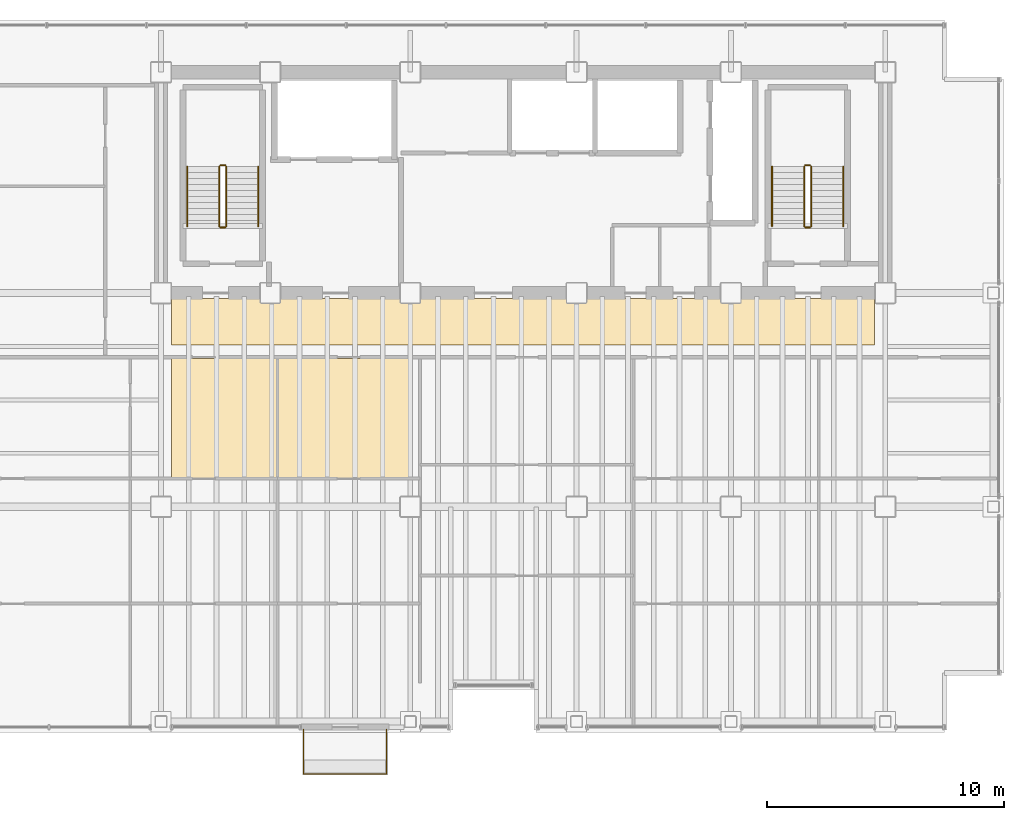
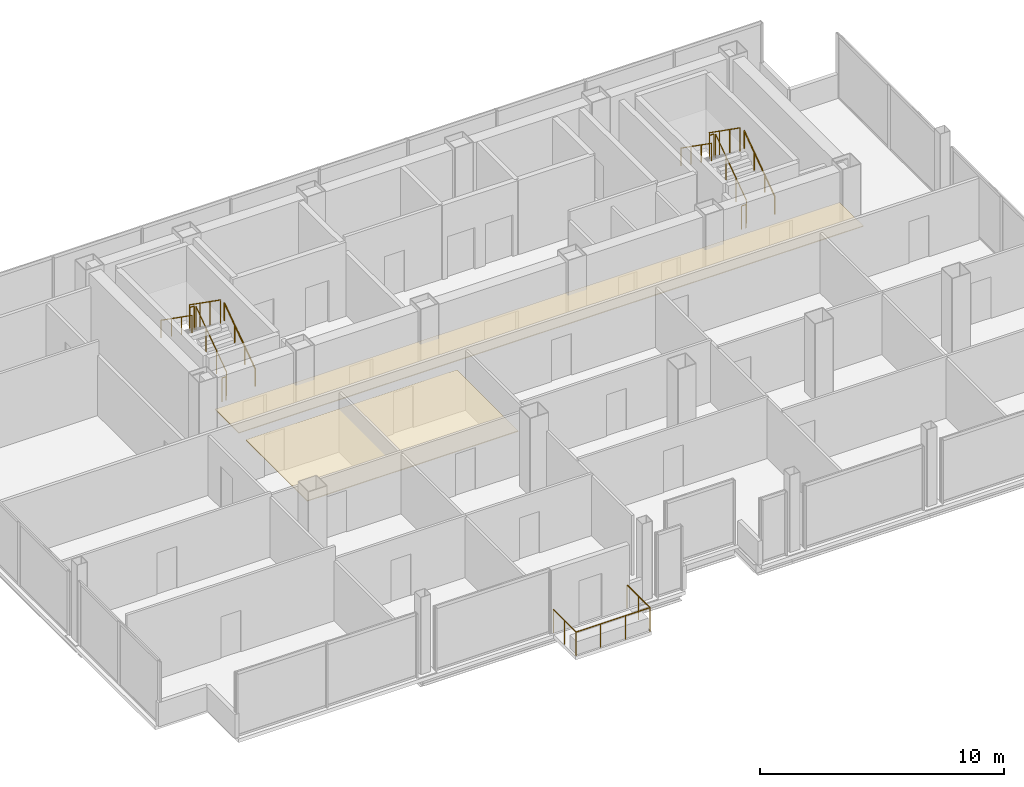
# One storey, part 22 of 22: 13 railings, 2 coverings.
"""IFC4 building model written with IfcOpenShell, lengths in metres."""

from ifc_helpers import new_model, si_unit, direction, frame, origin, origin_2d, place, context, subcontext, project, spatial, polyline, circle, outline, extrude, material, layer, layer_set, type_object, element, save


model = new_model("IFC4")

# Units and contexts
model_context = context("Model", 3, precision=1e-05, world=origin(), true_north=direction((0.0, 1.0)))
body_context = subcontext(model_context, "Body", "Model", "MODEL_VIEW")
ifc_project = project(units=[si_unit("LENGTHUNIT", "METRE"), si_unit("AREAUNIT", "SQUARE_METRE"), si_unit("VOLUMEUNIT", "CUBIC_METRE"), si_unit("PLANEANGLEUNIT", "RADIAN"), si_unit("MASSUNIT", "GRAM", prefix="KILO")], contexts=[model_context])

# Site, building, storey
site_placement = place(None, origin())
site = spatial("IfcSite", under=ifc_project, at=site_placement, CompositionType="ELEMENT")
building_placement = place(site_placement, origin())
building = spatial("IfcBuilding", under=site, at=building_placement, Name="Noeulbin Bourse Tower", CompositionType="ELEMENT")
storey_placement = place(building_placement, frame((0.0, 0.0, 130.5)))
storey = spatial("IfcBuildingStorey", under=building, at=storey_placement, Name="L32", CompositionType="ELEMENT", Elevation=130.5)

# Coverings
ifc_material_1 = material(Name="Perforated Mineral-Fibre Acoustic Tile")
ifc_layer_1 = layer(ifc_material_1, 0.0400390625)
ifc_layer_set_1 = layer_set([ifc_layer_1], Name="Perforated Mineral-Fibre Acoustic Tile")
covering_type = type_object("IfcCoveringType", Name="COV-CEIL-ACT", PredefinedType="CEILING", material=ifc_layer_set_1)
covering_1_placement = place(storey_placement, frame((0.0, 0.0, 2.110107421875)))
element("IfcCovering", 1, at=covering_1_placement, inside=storey, type_object=covering_type, Name="Corridor Suspended Ceiling L32", PredefinedType="CEILING", context=body_context, shape_type="SweptSolid", body=[
    extrude(outline(polyline([(13.949951171875, 26.820068359375), (43.550048828125, 26.820068359375), (43.550048828125, 28.780029296875), (13.949951171875, 28.780029296875), (13.949951171875, 26.820068359375)])), origin(), (0.0, 0.0, 1.0), 0.039794921875),
])
covering_2_placement = place(storey_placement, frame((0.0, 0.0, 2.110107421875)))
element("IfcCovering", 2, at=covering_2_placement, inside=storey, type_object=covering_type, Name="Trading Suite Acoustic Ceiling L32", PredefinedType="CEILING", context=body_context, shape_type="SweptSolid", body=[
    extrude(outline(polyline([(13.949951171875, 21.199951171875), (23.949951171875, 21.199951171875), (23.949951171875, 26.25), (13.949951171875, 26.25), (13.949951171875, 21.199951171875)])), origin(), (0.0, 0.0, 1.0), 0.039794921875),
])

# Railings
ifc_material_2 = material(Name="Laminated SentryGlas and Stainless Steel 316", Category="steel")
ifc_layer_2 = layer(ifc_material_2, 0.06005859375)
ifc_layer_set_2 = layer_set([ifc_layer_2], Name="Laminated SentryGlas and Stainless Steel 316")
railing_type_1 = type_object("IfcRailingType", Name="RLG-BAL-1200", PredefinedType="BALUSTRADE", material=ifc_layer_set_2)
railing_1_placement = place(storey_placement, frame((19.5, 10.6201171875, 0.0)))
element("IfcRailing", 3, at=railing_1_placement, inside=storey, type_object=railing_type_1, Name="Tree-Balcony Glazed Balustrade L32", PredefinedType="BALUSTRADE", context=body_context, shape_type="SweptSolid", body=[
    extrude(circle(Radius=0.02392578125, at=origin_2d()), frame((0.0, 0.0, 1.17578125), z_axis=(0.0, -1.0, 0.0), x_axis=(1.0, 0.0, 0.0)), (0.0, 0.0, 1.0), 1.8701171875),
    extrude(circle(Radius=0.02392578125, at=origin_2d()), frame((0.0, -1.8701171875, 1.17578125), z_axis=(1.0, 0.0, 0.0), x_axis=(0.0, 1.0, 0.0)), (0.0, 0.0, 1.0), 3.5),
    extrude(circle(Radius=0.02392578125, at=origin_2d()), frame((3.5, -1.8701171875, 1.17578125), z_axis=(0.0, 1.0, 0.0), x_axis=(-1.0, 0.0, 0.0)), (0.0, 0.0, 1.0), 1.8701171875),
    extrude(circle(Radius=0.02099609375, at=origin_2d()), origin(), (0.0, 0.0, 1.0), 1.15185546875),
    extrude(circle(Radius=0.02099609375, at=origin_2d()), frame((0.0, -0.93505859375, 0.0)), (0.0, 0.0, 1.0), 1.15185546875),
    extrude(circle(Radius=0.02099609375, at=origin_2d()), frame((0.0, -1.8701171875, 0.0)), (0.0, 0.0, 1.0), 1.15185546875),
    extrude(circle(Radius=0.02099609375, at=origin_2d()), frame((1.166748046875, -1.8701171875, 0.0)), (0.0, 0.0, 1.0), 1.15185546875),
    extrude(circle(Radius=0.02099609375, at=origin_2d()), frame((2.333251953125, -1.8701171875, 0.0)), (0.0, 0.0, 1.0), 1.15185546875),
    extrude(circle(Radius=0.02099609375, at=origin_2d()), frame((3.5, -1.8701171875, 0.0)), (0.0, 0.0, 1.0), 1.15185546875),
    extrude(circle(Radius=0.02099609375, at=origin_2d()), frame((3.5, -0.93505859375, 0.0)), (0.0, 0.0, 1.0), 1.15185546875),
    extrude(circle(Radius=0.02099609375, at=origin_2d()), frame((3.5, 0.0, 0.0)), (0.0, 0.0, 1.0), 1.15185546875),
])
ifc_material_3 = material(Name="Painted Tubular Steel S355", Category="steel")
ifc_layer_3 = layer(ifc_material_3, 0.048095703125)
ifc_layer_set_3 = layer_set([ifc_layer_3], Name="Painted Tubular Steel S355")
railing_type_2 = type_object("IfcRailingType", Name="RLG-STR-GRD", PredefinedType="GUARDRAIL", material=ifc_layer_set_3)
railing_2_placement = place(storey_placement, frame((16.25, 31.81005859375, 0.17724609375)))
element("IfcRailing", 4, at=railing_2_placement, inside=storey, type_object=railing_type_2, Name="L32 ST-1 stair guard 1", PredefinedType="GUARDRAIL", context=body_context, shape_type="SweptSolid", body=[
    extrude(circle(Radius=0.02392578125, at=origin_2d()), frame((0.0, 0.0, 1.17578125), z_axis=(0.0, 0.817904474719, 0.575354039036), x_axis=(-1.0, 0.0, 0.0)), (0.0, 0.0, 1.0), 3.0810546875),
    extrude(circle(Radius=0.02099609375, at=origin_2d()), origin(), (0.0, 0.0, 1.0), 1.15185546875),
    extrude(circle(Radius=0.02099609375, at=origin_2d()), frame((0.0, 0.840087890625, 0.5908203125)), (0.0, 0.0, 1.0), 1.15185546875),
    extrude(circle(Radius=0.02099609375, at=origin_2d()), frame((0.0, 1.679931640625, 1.181884765625)), (0.0, 0.0, 1.0), 1.15185546875),
    extrude(circle(Radius=0.02099609375, at=origin_2d()), frame((0.0, 2.52001953125, 1.772705078125)), (0.0, 0.0, 1.0), 1.15185546875),
])
railing_3_placement = place(storey_placement, frame((16.199951171875, 34.3798828125, 1.949951171875)))
element("IfcRailing", 5, at=railing_3_placement, inside=storey, type_object=railing_type_2, Name="L32 ST-1 stair guard 2", PredefinedType="GUARDRAIL", context=body_context, shape_type="SweptSolid", body=[
    extrude(circle(Radius=0.02392578125, at=origin_2d()), frame((0.0, 0.0, 1.17578125), z_axis=(-1.0, 0.0, 0.0), x_axis=(0.0, -1.0, 0.0)), (0.0, 0.0, 1.0), 0.199951171875),
    extrude(circle(Radius=0.02099609375, at=origin_2d()), origin(), (0.0, 0.0, 1.0), 1.15185546875),
    extrude(circle(Radius=0.02099609375, at=origin_2d()), frame((-0.199951171875, 0.0, 0.0)), (0.0, 0.0, 1.0), 1.15185546875),
])
railing_4_placement = place(storey_placement, frame((15.949951171875, 34.330078125, 2.127197265625)))
element("IfcRailing", 6, at=railing_4_placement, inside=storey, type_object=railing_type_2, Name="L32 ST-1 stair guard 3", PredefinedType="GUARDRAIL", context=body_context, shape_type="SweptSolid", body=[
    extrude(circle(Radius=0.02392578125, at=origin_2d()), frame((0.0, 0.0, 1.17578125), z_axis=(0.0, -0.817904474719, 0.575354039036), x_axis=(1.0, 0.0, 0.0)), (0.0, 0.0, 1.0), 3.0810546875),
    extrude(circle(Radius=0.02099609375, at=origin_2d()), origin(), (0.0, 0.0, 1.0), 1.15185546875),
    extrude(circle(Radius=0.02099609375, at=origin_2d()), frame((0.0, -0.840087890625, 0.5908203125)), (0.0, 0.0, 1.0), 1.15185546875),
    extrude(circle(Radius=0.02099609375, at=origin_2d()), frame((0.0, -1.679931640625, 1.181884765625)), (0.0, 0.0, 1.0), 1.15185546875),
    extrude(circle(Radius=0.02099609375, at=origin_2d()), frame((0.0, -2.52001953125, 1.772705078125)), (0.0, 0.0, 1.0), 1.15185546875),
])
railing_5_placement = place(storey_placement, frame((16.199951171875, 31.760009765625, 0.0)))
element("IfcRailing", 7, at=railing_5_placement, inside=storey, type_object=railing_type_2, Name="L32 ST-1 stair guard 4", PredefinedType="GUARDRAIL", context=body_context, shape_type="SweptSolid", body=[
    extrude(circle(Radius=0.02392578125, at=origin_2d()), frame((0.0, 0.0, 1.17578125), z_axis=(-1.0, 0.0, 0.0), x_axis=(0.0, -1.0, 0.0)), (0.0, 0.0, 1.0), 0.199951171875),
    extrude(circle(Radius=0.02099609375, at=origin_2d()), origin(), (0.0, 0.0, 1.0), 1.15185546875),
    extrude(circle(Radius=0.02099609375, at=origin_2d()), frame((-0.199951171875, 0.0, 0.0)), (0.0, 0.0, 1.0), 1.15185546875),
])
railing_6_placement = place(storey_placement, frame((40.8798828125, 31.81005859375, 0.17724609375)))
element("IfcRailing", 8, at=railing_6_placement, inside=storey, type_object=railing_type_2, Name="L32 ST-2 stair guard 1", PredefinedType="GUARDRAIL", context=body_context, shape_type="SweptSolid", body=[
    extrude(circle(Radius=0.02392578125, at=origin_2d()), frame((0.0, 0.0, 1.17578125), z_axis=(0.0, 0.817904474719, 0.575354039036), x_axis=(-1.0, 0.0, 0.0)), (0.0, 0.0, 1.0), 3.0810546875),
    extrude(circle(Radius=0.02099609375, at=origin_2d()), origin(), (0.0, 0.0, 1.0), 1.15185546875),
    extrude(circle(Radius=0.02099609375, at=origin_2d()), frame((0.0, 0.840087890625, 0.5908203125)), (0.0, 0.0, 1.0), 1.15185546875),
    extrude(circle(Radius=0.02099609375, at=origin_2d()), frame((0.0, 1.679931640625, 1.181884765625)), (0.0, 0.0, 1.0), 1.15185546875),
    extrude(circle(Radius=0.02099609375, at=origin_2d()), frame((0.0, 2.52001953125, 1.772705078125)), (0.0, 0.0, 1.0), 1.15185546875),
])
railing_7_placement = place(storey_placement, frame((40.830078125, 34.3798828125, 1.949951171875)))
element("IfcRailing", 9, at=railing_7_placement, inside=storey, type_object=railing_type_2, Name="L32 ST-2 stair guard 2", PredefinedType="GUARDRAIL", context=body_context, shape_type="SweptSolid", body=[
    extrude(circle(Radius=0.02392578125, at=origin_2d()), frame((0.0, 0.0, 1.17578125), z_axis=(-1.0, 0.0, 0.0), x_axis=(0.0, -1.0, 0.0)), (0.0, 0.0, 1.0), 0.2001953125),
    extrude(circle(Radius=0.02099609375, at=origin_2d()), origin(), (0.0, 0.0, 1.0), 1.15185546875),
    extrude(circle(Radius=0.02099609375, at=origin_2d()), frame((-0.2001953125, 0.0, 0.0)), (0.0, 0.0, 1.0), 1.15185546875),
])
railing_8_placement = place(storey_placement, frame((40.580078125, 34.330078125, 2.127197265625)))
element("IfcRailing", 10, at=railing_8_placement, inside=storey, type_object=railing_type_2, Name="L32 ST-2 stair guard 3", PredefinedType="GUARDRAIL", context=body_context, shape_type="SweptSolid", body=[
    extrude(circle(Radius=0.02392578125, at=origin_2d()), frame((0.0, 0.0, 1.17578125), z_axis=(0.0, -0.817904474719, 0.575354039036), x_axis=(1.0, 0.0, 0.0)), (0.0, 0.0, 1.0), 3.0810546875),
    extrude(circle(Radius=0.02099609375, at=origin_2d()), origin(), (0.0, 0.0, 1.0), 1.15185546875),
    extrude(circle(Radius=0.02099609375, at=origin_2d()), frame((0.0, -0.840087890625, 0.5908203125)), (0.0, 0.0, 1.0), 1.15185546875),
    extrude(circle(Radius=0.02099609375, at=origin_2d()), frame((0.0, -1.679931640625, 1.181884765625)), (0.0, 0.0, 1.0), 1.15185546875),
    extrude(circle(Radius=0.02099609375, at=origin_2d()), frame((0.0, -2.52001953125, 1.772705078125)), (0.0, 0.0, 1.0), 1.15185546875),
])
railing_9_placement = place(storey_placement, frame((40.830078125, 31.760009765625, 0.0)))
element("IfcRailing", 11, at=railing_9_placement, inside=storey, type_object=railing_type_2, Name="L32 ST-2 stair guard 4", PredefinedType="GUARDRAIL", context=body_context, shape_type="SweptSolid", body=[
    extrude(circle(Radius=0.02392578125, at=origin_2d()), frame((0.0, 0.0, 1.17578125), z_axis=(-1.0, 0.0, 0.0), x_axis=(0.0, -1.0, 0.0)), (0.0, 0.0, 1.0), 0.2001953125),
    extrude(circle(Radius=0.02099609375, at=origin_2d()), origin(), (0.0, 0.0, 1.0), 1.15185546875),
    extrude(circle(Radius=0.02099609375, at=origin_2d()), frame((-0.2001953125, 0.0, 0.0)), (0.0, 0.0, 1.0), 1.15185546875),
])
ifc_material_4 = material(Name="Brushed Stainless Steel 316", Category="steel")
ifc_layer_4 = layer(ifc_material_4, 0.048095703125)
ifc_layer_set_4 = layer_set([ifc_layer_4], Name="Brushed Stainless Steel 316")
railing_type_3 = type_object("IfcRailingType", Name="RLG-STR-HND", PredefinedType="HANDRAIL", material=ifc_layer_set_4)
railing_10_placement = place(storey_placement, frame((17.60009765625, 31.81005859375, 0.17724609375)))
element("IfcRailing", 12, at=railing_10_placement, inside=storey, type_object=railing_type_3, Name="L32 ST-1 stair handrail 1", PredefinedType="HANDRAIL", context=body_context, shape_type="SweptSolid", body=[
    extrude(circle(Radius=0.02392578125, at=origin_2d()), frame((0.0, 0.0, 0.8759765625), z_axis=(0.0, 0.817904474719, 0.575354039036), x_axis=(-1.0, 0.0, 0.0)), (0.0, 0.0, 1.0), 3.0810546875),
    extrude(circle(Radius=0.02099609375, at=origin_2d()), origin(), (0.0, 0.0, 1.0), 0.851806640625),
    extrude(circle(Radius=0.02099609375, at=origin_2d()), frame((0.0, 0.840087890625, 0.5908203125)), (0.0, 0.0, 1.0), 0.851806640625),
    extrude(circle(Radius=0.02099609375, at=origin_2d()), frame((0.0, 1.679931640625, 1.181884765625)), (0.0, 0.0, 1.0), 0.851806640625),
    extrude(circle(Radius=0.02099609375, at=origin_2d()), frame((0.0, 2.52001953125, 1.772705078125)), (0.0, 0.0, 1.0), 0.851806640625),
])
railing_11_placement = place(storey_placement, frame((14.60009765625, 34.330078125, 2.127197265625)))
element("IfcRailing", 13, at=railing_11_placement, inside=storey, type_object=railing_type_3, Name="L32 ST-1 stair handrail 2", PredefinedType="HANDRAIL", context=body_context, shape_type="SweptSolid", body=[
    extrude(circle(Radius=0.02392578125, at=origin_2d()), frame((0.0, 0.0, 0.8759765625), z_axis=(0.0, -0.817904474719, 0.575354039036), x_axis=(1.0, 0.0, 0.0)), (0.0, 0.0, 1.0), 3.0810546875),
    extrude(circle(Radius=0.02099609375, at=origin_2d()), origin(), (0.0, 0.0, 1.0), 0.851806640625),
    extrude(circle(Radius=0.02099609375, at=origin_2d()), frame((0.0, -0.840087890625, 0.5908203125)), (0.0, 0.0, 1.0), 0.851806640625),
    extrude(circle(Radius=0.02099609375, at=origin_2d()), frame((0.0, -1.679931640625, 1.181884765625)), (0.0, 0.0, 1.0), 0.851806640625),
    extrude(circle(Radius=0.02099609375, at=origin_2d()), frame((0.0, -2.52001953125, 1.772705078125)), (0.0, 0.0, 1.0), 0.851806640625),
])
railing_12_placement = place(storey_placement, frame((42.22998046875, 31.81005859375, 0.17724609375)))
element("IfcRailing", 14, at=railing_12_placement, inside=storey, type_object=railing_type_3, Name="L32 ST-2 stair handrail 1", PredefinedType="HANDRAIL", context=body_context, shape_type="SweptSolid", body=[
    extrude(circle(Radius=0.02392578125, at=origin_2d()), frame((0.0, 0.0, 0.8759765625), z_axis=(0.0, 0.817904474719, 0.575354039036), x_axis=(-1.0, 0.0, 0.0)), (0.0, 0.0, 1.0), 3.0810546875),
    extrude(circle(Radius=0.02099609375, at=origin_2d()), origin(), (0.0, 0.0, 1.0), 0.851806640625),
    extrude(circle(Radius=0.02099609375, at=origin_2d()), frame((0.0, 0.840087890625, 0.5908203125)), (0.0, 0.0, 1.0), 0.851806640625),
    extrude(circle(Radius=0.02099609375, at=origin_2d()), frame((0.0, 1.679931640625, 1.181884765625)), (0.0, 0.0, 1.0), 0.851806640625),
    extrude(circle(Radius=0.02099609375, at=origin_2d()), frame((0.0, 2.52001953125, 1.772705078125)), (0.0, 0.0, 1.0), 0.851806640625),
])
railing_13_placement = place(storey_placement, frame((39.22998046875, 34.330078125, 2.127197265625)))
element("IfcRailing", 15, at=railing_13_placement, inside=storey, type_object=railing_type_3, Name="L32 ST-2 stair handrail 2", PredefinedType="HANDRAIL", context=body_context, shape_type="SweptSolid", body=[
    extrude(circle(Radius=0.02392578125, at=origin_2d()), frame((0.0, 0.0, 0.8759765625), z_axis=(0.0, -0.817904474719, 0.575354039036), x_axis=(1.0, 0.0, 0.0)), (0.0, 0.0, 1.0), 3.0810546875),
    extrude(circle(Radius=0.02099609375, at=origin_2d()), origin(), (0.0, 0.0, 1.0), 0.851806640625),
    extrude(circle(Radius=0.02099609375, at=origin_2d()), frame((0.0, -0.840087890625, 0.5908203125)), (0.0, 0.0, 1.0), 0.851806640625),
    extrude(circle(Radius=0.02099609375, at=origin_2d()), frame((0.0, -1.679931640625, 1.181884765625)), (0.0, 0.0, 1.0), 0.851806640625),
    extrude(circle(Radius=0.02099609375, at=origin_2d()), frame((0.0, -2.52001953125, 1.772705078125)), (0.0, 0.0, 1.0), 0.851806640625),
])

save(model, "model.ifc")
